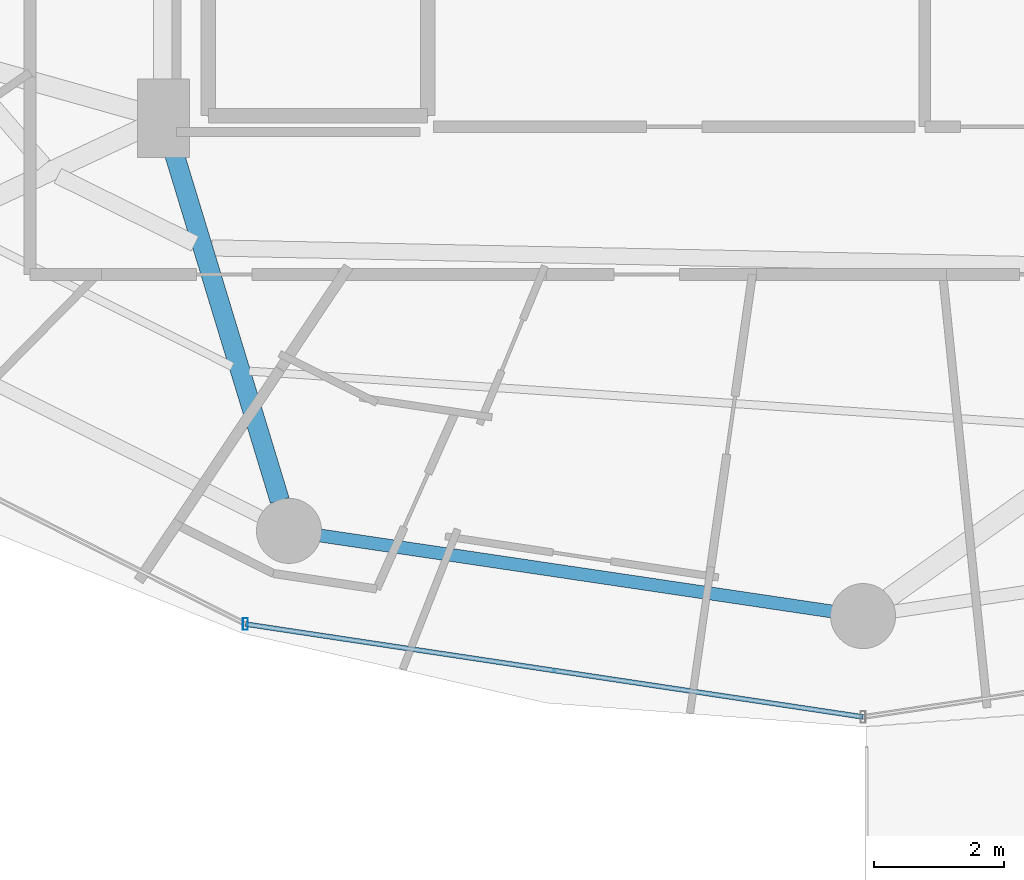
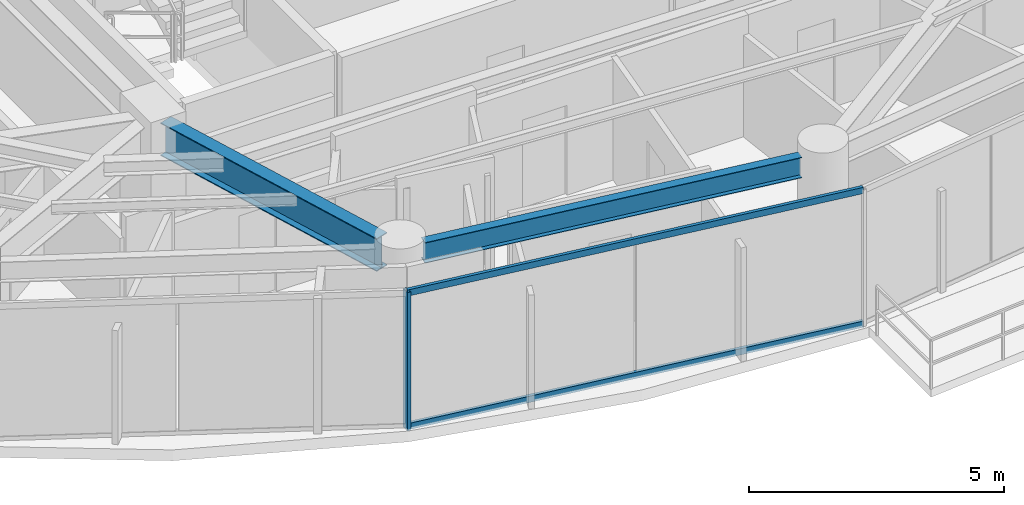
# One storey, part 5 of 30: 3 members, 2 beams, 1 element without a shape of its own.
"""IFC4 building model written with IfcOpenShell, lengths in metres."""

import ifcopenshell
import ifcopenshell.guid

model = None  # the IFC model being written
_history = None  # IfcOwnerHistory: only IFC2X3 demands one
_inside = {}  # id of a spatial element -> (the spatial element, [elements in it])
_under = {}  # id of a project, library or spatial element -> (it, [spatial elements below it])
_declared = {}  # id of a project -> (the project, [libraries it declares])
_typed = {}  # id of a type object -> (the type object, [elements of that type])
_made_of = {}  # id of a material, layer set ... -> (it, [elements and type objects made of it])


def new_model(schema):
    """Start an empty IFC model of exactly this schema.

    Asked for "IFC4X3", IfcOpenShell would pick the latest addendum, in which some entities
    have other attributes; the version numbers below select the first issue.
    IFC2X3 requires an IfcOwnerHistory on every rooted entity: one is made here for all.
    """
    global model, _history
    if schema == "IFC4X3":
        model = ifcopenshell.file(schema_version=(4, 3, 0, 0))
    else:
        model = ifcopenshell.file(schema=schema)
    _inside.clear()
    _under.clear()
    _declared.clear()
    _typed.clear()
    _made_of.clear()
    _history = None
    if model.schema == "IFC2X3":
        org = make("IfcOrganization", Name="unknown")
        user = make(
            "IfcPersonAndOrganization",
            ThePerson=make("IfcPerson", FamilyName="unknown"),
            TheOrganization=org,
        )
        app = make(
            "IfcApplication",
            ApplicationDeveloper=org,
            Version="unknown",
            ApplicationFullName="unknown",
            ApplicationIdentifier="unknown",
        )
        _history = make(
            "IfcOwnerHistory",
            OwningUser=user,
            OwningApplication=app,
            ChangeAction="ADDED",
            CreationDate=0,
        )
    return model


def make(cls, **values):
    """One entity of the class cls with the attributes given. An attribute that is None is left unset."""
    return model.create_entity(
        cls, **{name: value for name, value in values.items() if value is not None}
    )


def rooted(cls, **values):
    """An entity with a GlobalId (a new one), such as an element, a storey or a relation."""
    return make(cls, GlobalId=ifcopenshell.guid.new(), OwnerHistory=_history, **values)


def si_unit(unit_type, name, prefix=None):
    """IfcSIUnit, for example si_unit("LENGTHUNIT", "METRE", prefix="MILLI")."""
    return make("IfcSIUnit", UnitType=unit_type, Prefix=prefix, Name=name)


def assignment(units):
    """IfcUnitAssignment: the units of a project."""
    return None if units is None else make("IfcUnitAssignment", Units=units)


def point(xyz):
    """IfcCartesianPoint."""
    return None if xyz is None else make("IfcCartesianPoint", Coordinates=xyz)


def direction(xyz):
    """IfcDirection."""
    return None if xyz is None else make("IfcDirection", DirectionRatios=xyz)


def frame(location, z_axis=None, x_axis=None):
    """IfcAxis2Placement3D, a coordinate frame: its origin and axes. An axis left out is left unset."""
    return make(
        "IfcAxis2Placement3D",
        Location=point(location),
        Axis=direction(z_axis),
        RefDirection=direction(x_axis),
    )


def frame_2d(location, x_axis=None):
    """IfcAxis2Placement2D, a coordinate frame in the plane: its origin and x axis."""
    return make(
        "IfcAxis2Placement2D", Location=point(location), RefDirection=direction(x_axis)
    )


def origin():
    """The frame at (0, 0, 0) with its axes left unset."""
    return frame((0.0, 0.0, 0.0))


def origin_2d():
    """The frame at (0, 0) in the plane with its x axis left unset."""
    return frame_2d((0.0, 0.0))


def place(relative_to, where):
    """IfcLocalPlacement: puts the frame where relative to a parent placement (None: the world)."""
    return make(
        "IfcLocalPlacement", PlacementRelTo=relative_to, RelativePlacement=where
    )


def context(
    kind, dimensions, precision=None, world=None, true_north=None, identifier=None
):
    """IfcGeometricRepresentationContext, for example the 3D "Model" context."""
    return make(
        "IfcGeometricRepresentationContext",
        ContextIdentifier=identifier,
        ContextType=kind,
        CoordinateSpaceDimension=dimensions,
        Precision=precision,
        WorldCoordinateSystem=world,
        TrueNorth=true_north,
    )


def subcontext(parent, identifier, kind, view, scale=None):
    """IfcGeometricRepresentationSubContext, for example "Body" below "Model"."""
    return make(
        "IfcGeometricRepresentationSubContext",
        ContextIdentifier=identifier,
        ContextType=kind,
        ParentContext=parent,
        TargetScale=scale,
        TargetView=view,
    )


def project(units=None, contexts=None):
    """IfcProject with its units and contexts."""
    return rooted(
        "IfcProject",
        Name="project",
        RepresentationContexts=contexts,
        UnitsInContext=assignment(units),
    )


def spatial(cls, under=None, at=None, **own):
    """A site, building, storey or space (cls), placed at a placement, below another one or the project."""
    s = rooted(cls, ObjectPlacement=at, **own)
    if under is not None:
        _under.setdefault(under.id(), (under, []))[1].append(s)
    return s


def profile(cls, at=None, kind="AREA", **sizes):
    """A parametric profile (cls). Its sizes go by their IFC names, for example OverallWidth=200.0."""
    return make(cls, ProfileType=kind, Position=at, **sizes)


def hollow_rectangle(**sizes):
    """IfcRectangleHollowProfileDef."""
    return profile("IfcRectangleHollowProfileDef", **sizes)


def i_section(**sizes):
    """IfcIShapeProfileDef."""
    return profile("IfcIShapeProfileDef", **sizes)


def extrude(swept, where, along, depth):
    """IfcExtrudedAreaSolid: the profile swept, set in the frame where, extruded along a direction by depth."""
    return make(
        "IfcExtrudedAreaSolid",
        SweptArea=swept,
        Position=where,
        ExtrudedDirection=direction(along),
        Depth=depth,
    )


def shape(context_of_items, identifier, shape_type, items):
    """IfcShapeRepresentation: the items that make up one representation, for example the "Body"."""
    return make(
        "IfcShapeRepresentation",
        ContextOfItems=context_of_items,
        RepresentationIdentifier=identifier,
        RepresentationType=shape_type,
        Items=items,
    )


def material(Name=None, Category=None):
    """IfcMaterial."""
    return make("IfcMaterial", Name=Name, Category=Category)


def material_profile(
    of_material, cross_section, Name=None, Category=None, Priority=None
):
    """IfcMaterialProfile: a cross section and its material."""
    return make(
        "IfcMaterialProfile",
        Name=Name,
        Material=of_material,
        Profile=cross_section,
        Priority=Priority,
        Category=Category,
    )


def profile_set(profiles, Name=None, composite=None):
    """IfcMaterialProfileSet."""
    return make(
        "IfcMaterialProfileSet",
        Name=Name,
        MaterialProfiles=profiles,
        CompositeProfile=composite,
    )


def made_of(thing, what):
    """Note that an element or type object is made of a material, layer set ...; save() writes the relation."""
    if what is not None:
        _made_of.setdefault(what.id(), (what, []))[1].append(thing)
    return thing


def type_object(cls, material=None, **own):
    """A type object (cls), such as IfcWallType, which elements share."""
    return made_of(rooted(cls, **own), material)


def element(
    cls,
    number,
    at=None,
    inside=None,
    cuts=None,
    type_object=None,
    material=None,
    context=None,
    identifier="Body",
    shape_type=None,
    held_by="IfcProductDefinitionShape",
    body=None,
    shapes=None,
    **own,
):
    """One element of the class cls, such as IfcWall. Its Tag is "e" and its number.

    at: its placement. inside: the storey or other place that contains it. cuts: it is an
    opening in that element (IfcRelVoidsElement). A single representation is given by context,
    identifier, shape_type and body (its items); several are given by shapes. held_by: the class
    of the entity that holds the representations. save() writes the other relations.
    """
    e = rooted(cls, Tag="e%d" % number, ObjectPlacement=at, **own)
    if body is not None:
        shapes = [shape(context, identifier, shape_type, body)]
    if shapes is not None:
        e.Representation = make(held_by, Representations=shapes)
    if inside is not None:
        _inside.setdefault(inside.id(), (inside, []))[1].append(e)
    if cuts is not None:
        rooted(
            "IfcRelVoidsElement", RelatingBuildingElement=cuts, RelatedOpeningElement=e
        )
    if type_object is not None:
        _typed.setdefault(type_object.id(), (type_object, []))[1].append(e)
    return made_of(e, material)


def aggregate(whole, parts):
    """IfcRelAggregates: a whole, such as a stair, and the parts it consists of."""
    return rooted("IfcRelAggregates", RelatingObject=whole, RelatedObjects=parts)


def save(model, path):
    """Write the relations noted so far, then the file.

    IfcRelAggregates (storeys below a building ...), IfcRelContainedInSpatialStructure (elements
    in a storey), IfcRelDefinesByType, IfcRelAssociatesMaterial and IfcRelDeclares: one each for
    every whole, place, type object, material and project.
    """
    for whole, parts in _under.values():
        aggregate(whole, parts)
    for where, things in _inside.values():
        rooted(
            "IfcRelContainedInSpatialStructure",
            RelatedElements=things,
            RelatingStructure=where,
        )
    for kind, things in _typed.values():
        rooted("IfcRelDefinesByType", RelatedObjects=things, RelatingType=kind)
    for what, things in _made_of.values():
        rooted("IfcRelAssociatesMaterial", RelatedObjects=things, RelatingMaterial=what)
    for by, libraries in _declared.values():
        rooted("IfcRelDeclares", RelatingContext=by, RelatedDefinitions=libraries)
    model.write(path)


model = new_model("IFC4")

# Units and contexts
model_context = context("Model", 3, precision=1e-05, world=origin(), true_north=direction((0.0, 1.0)))
body_context = subcontext(model_context, "Body", "Model", "MODEL_VIEW")
ifc_project = project(units=[si_unit("LENGTHUNIT", "METRE"), si_unit("AREAUNIT", "SQUARE_METRE"), si_unit("VOLUMEUNIT", "CUBIC_METRE"), si_unit("PLANEANGLEUNIT", "RADIAN"), si_unit("MASSUNIT", "GRAM", prefix="KILO")], contexts=[model_context])

# Site, building, storey
site_placement = place(None, origin())
site = spatial("IfcSite", under=ifc_project, at=site_placement, CompositionType="ELEMENT")
building_placement = place(site_placement, origin())
building = spatial("IfcBuilding", under=site, at=building_placement, Name="Vorneva Point Tower", CompositionType="ELEMENT")
storey_placement = place(building_placement, frame((0.0, 0.0, 153.60009765625)))
storey = spatial("IfcBuildingStorey", under=building, at=storey_placement, Name="L41", CompositionType="ELEMENT", Elevation=153.60009765625)

# Beams
ifc_material_1 = material(Name="Steel S355", Category="steel")
ifc_material_profile_1 = material_profile(ifc_material_1, i_section(OverallWidth=0.300048828125, OverallDepth=0.7880859375, WebThickness=0.014404296875, FlangeThickness=0.02197265625, at=origin_2d()), Name="80Sh1")
ifc_profile_set_1 = profile_set([ifc_material_profile_1], Name="Steel S355")
beam_type_1 = type_object("IfcBeamType", Name="BM-GRD-80Sh1", PredefinedType="USERDEFINED", material=ifc_profile_set_1)
beam_1_placement = place(storey_placement, frame((29.037109375, 10.576171875, 2.845947265625), z_axis=(-0.291049382966, 0.95670803105, 0.0), x_axis=(-0.95670803105, -0.291049382966, 0.0)))
element("IfcBeam", 1, at=beam_1_placement, inside=storey, type_object=beam_type_1, Name="L41 Radial Primary Girder 12", ObjectType="GIRDER", PredefinedType="USERDEFINED", context=body_context, shape_type="SweptSolid", body=[
    extrude(i_section(OverallWidth=0.300048828125, OverallDepth=0.7880859375, WebThickness=0.014404296875, FlangeThickness=0.02197265625, at=origin_2d()), origin(), (0.0, 0.0, 1.0), 5.799560546875),
])
ifc_material_profile_2 = material_profile(ifc_material_1, i_section(OverallWidth=0.199951171875, OverallDepth=0.491943359375, WebThickness=0.0087890625, FlangeThickness=0.011962890625, at=origin_2d()), Name="50B1")
ifc_profile_set_2 = profile_set([ifc_material_profile_2], Name="Steel S355")
beam_type_2 = type_object("IfcBeamType", Name="BM-SPN-50B1", PredefinedType="SPANDREL", material=ifc_profile_set_2)
beam_2_placement = place(storey_placement, frame((29.65869140625, 10.0380859375, 2.993896484375), z_axis=(0.989161199046, -0.146833655211, 0.0), x_axis=(0.146833655211, 0.989161199046, 0.0)))
element("IfcBeam", 2, at=beam_2_placement, inside=storey, type_object=beam_type_2, Name="L41 Perimeter Spandrel Ring Beam 12", PredefinedType="SPANDREL", context=body_context, shape_type="SweptSolid", body=[
    extrude(i_section(OverallWidth=0.199951171875, OverallDepth=0.491943359375, WebThickness=0.0087890625, FlangeThickness=0.011962890625, at=origin_2d()), origin(), (0.0, 0.0, 1.0), 7.94775390625),
])

# Curtain wall, members
ifc_material_2 = material(Name="Pale anodised aluminium", Category="aluminium")
curtain_wall_type = type_object("IfcCurtainWallType", Name="CW-RES-SYS", PredefinedType="NOTDEFINED", material=ifc_material_2)
curtain_wall_placement = place(storey_placement, origin())
curtain_wall = element("IfcCurtainWall", 3, at=curtain_wall_placement, inside=storey, type_object=curtain_wall_type, Name="L41 Unitised Curtain Wall CW-L41-R04", PredefinedType="NOTDEFINED")
ifc_material_profile_3 = material_profile(ifc_material_2, hollow_rectangle(XDim=0.074951171875, YDim=0.179931640625, WallThickness=0.00390625, at=origin_2d()), Name="AL-MUL 180x75x4")
ifc_profile_set_3 = profile_set([ifc_material_profile_3], Name="Pale anodised aluminium")
member_type_1 = type_object("IfcMemberType", Name="CW-MUL-180", PredefinedType="MULLION", material=ifc_profile_set_3)
member_1_placement = place(storey_placement, frame((28.509521484375, 8.67724609375, -0.0400390625), z_axis=(0.0, 0.0, 1.0), x_axis=(1.0, 0.0, 0.0)))
member_1 = element("IfcMember", 4, at=member_1_placement, type_object=member_type_1, Name="CW-L41-R04 Mullion 02", PredefinedType="MULLION", context=body_context, shape_type="SweptSolid", body=[
    extrude(hollow_rectangle(XDim=0.074951171875, YDim=0.179931640625, WallThickness=0.00390625, at=origin_2d()), origin(), (0.0, 0.0, 1.0), 3.31005859375),
])
ifc_material_profile_4 = material_profile(ifc_material_2, hollow_rectangle(XDim=0.074951171875, YDim=0.14990234375, WallThickness=0.00390625, at=origin_2d()), Name="AL-TRN 150x75x4")
ifc_profile_set_4 = profile_set([ifc_material_profile_4], Name="Pale anodised aluminium")
member_type_2 = type_object("IfcMemberType", Name="CW-TRN-150", PredefinedType="USERDEFINED", material=ifc_profile_set_4)
member_2_placement = place(storey_placement, frame((28.509521484375, 8.67724609375, 0.02001953125), z_axis=(0.988880117727, -0.148714870687, 0.0), x_axis=(0.148714870687, 0.988880117727, 0.0)))
member_2 = element("IfcMember", 5, at=member_2_placement, type_object=member_type_2, Name="CW-L41-R04 Transom 02.1", ObjectType="TRANSOM", PredefinedType="USERDEFINED", context=body_context, shape_type="SweptSolid", body=[
    extrude(hollow_rectangle(XDim=0.074951171875, YDim=0.14990234375, WallThickness=0.00390625, at=origin_2d()), origin(), (0.0, 0.0, 1.0), 9.59716796875),
])
member_3_placement = place(storey_placement, frame((28.509521484375, 8.67724609375, 3.219970703125), z_axis=(0.988880117727, -0.148714870687, 0.0), x_axis=(0.148714870687, 0.988880117727, 0.0)))
member_3 = element("IfcMember", 6, at=member_3_placement, type_object=member_type_2, Name="CW-L41-R04 Transom 02.2", ObjectType="TRANSOM", PredefinedType="USERDEFINED", context=body_context, shape_type="SweptSolid", body=[
    extrude(hollow_rectangle(XDim=0.074951171875, YDim=0.14990234375, WallThickness=0.00390625, at=origin_2d()), origin(), (0.0, 0.0, 1.0), 9.59716796875),
])
aggregate(curtain_wall, [member_1, member_2, member_3])

save(model, "model.ifc")
